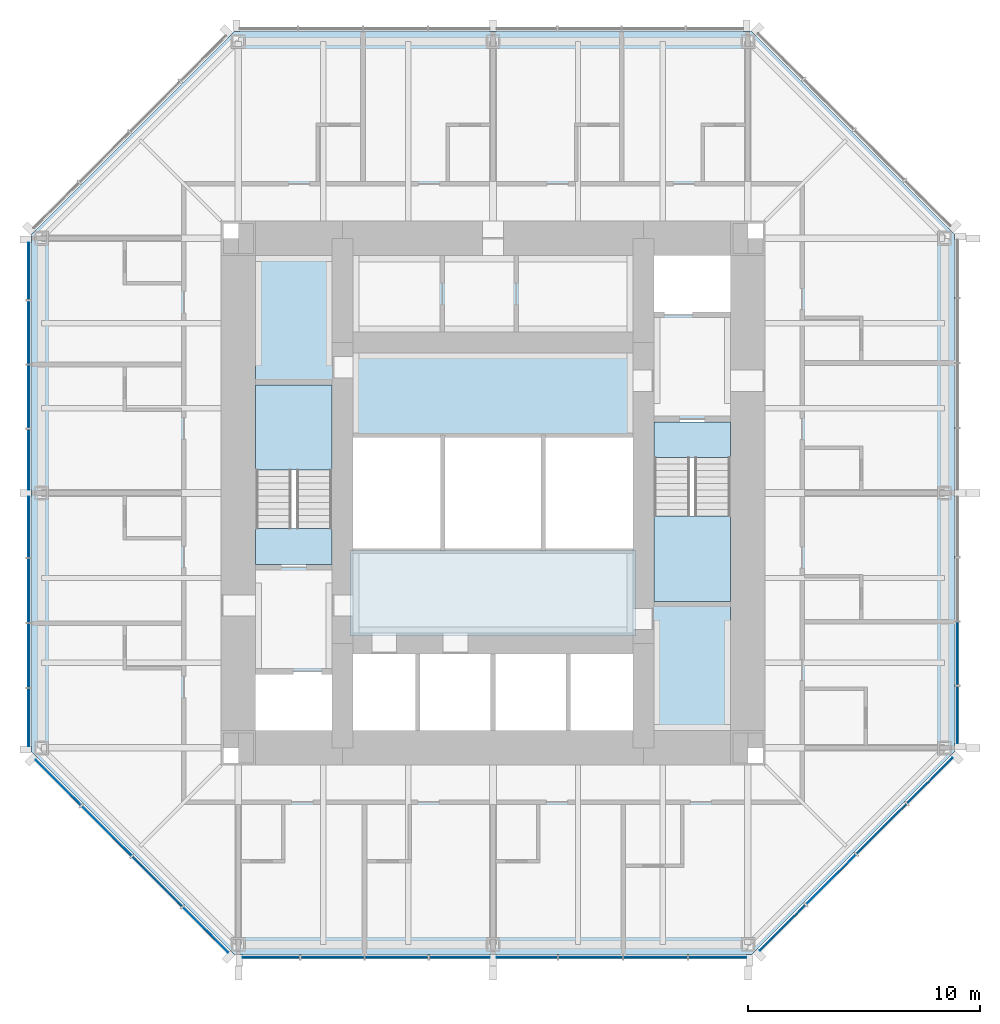
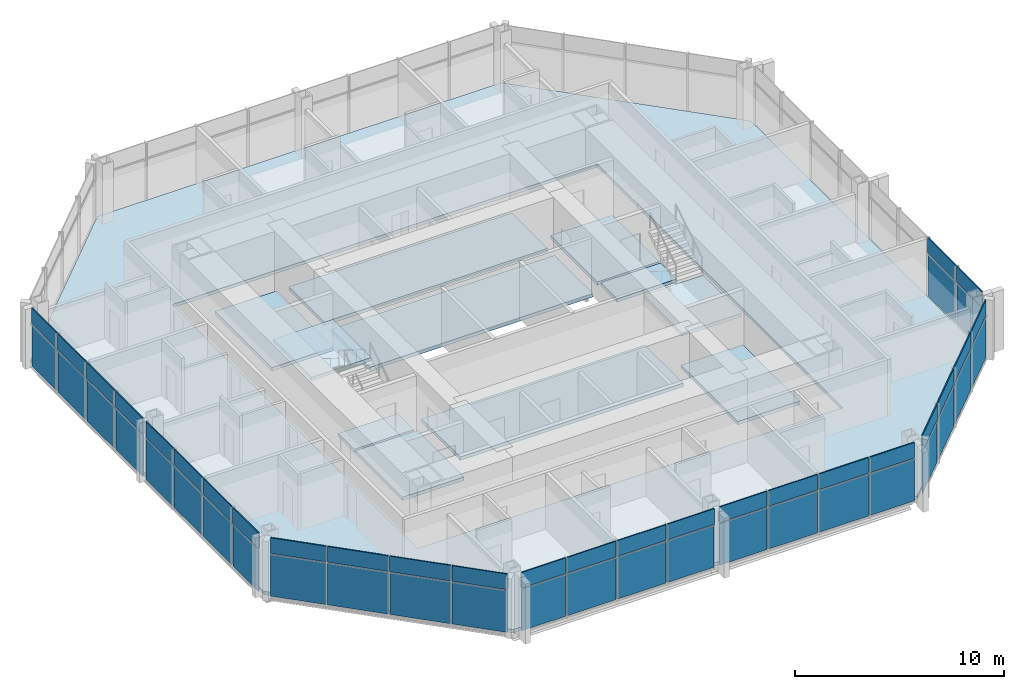
# One storey, part 6 of 12: 52 plates, 12 slabs, 7 elements without a shape of their own.
"""IFC4 building model written with IfcOpenShell, lengths in metres."""

from ifc_helpers import new_model, si_unit, direction, frame, origin, origin_2d, place, context, subcontext, project, spatial, polyline, rectangle, outline, extrude, material, layer, layer_set, type_object, element, aggregate, save


model = new_model("IFC4")

# Units and contexts
model_context = context("Model", 3, precision=1e-05, world=origin(), true_north=direction((0.0, 1.0)))
body_context = subcontext(model_context, "Body", "Model", "MODEL_VIEW")
ifc_project = project(units=[si_unit("LENGTHUNIT", "METRE"), si_unit("AREAUNIT", "SQUARE_METRE"), si_unit("VOLUMEUNIT", "CUBIC_METRE"), si_unit("PLANEANGLEUNIT", "RADIAN"), si_unit("MASSUNIT", "GRAM", prefix="KILO")], contexts=[model_context])

# Site, building, storey
site_placement = place(None, origin())
site = spatial("IfcSite", under=ifc_project, at=site_placement, CompositionType="ELEMENT")
building_placement = place(site_placement, origin())
building = spatial("IfcBuilding", under=site, at=building_placement, Name="Trevanion Tower", CompositionType="ELEMENT")
storey_placement = place(building_placement, frame((0.0, 0.0, 194.199951171875)))
storey = spatial("IfcBuildingStorey", under=building, at=storey_placement, Name="L45", CompositionType="ELEMENT", Elevation=194.199951171875)

# Curtain wall, plates
ifc_material_1 = material(Name="Aluminium and glass", Category="aluminium")
curtain_wall_type = type_object("IfcCurtainWallType", Name="CW3 curtain wall", PredefinedType="USERDEFINED", material=ifc_material_1)
curtain_wall_1_placement = place(storey_placement, origin())
curtain_wall_1 = element("IfcCurtainWall", 1, at=curtain_wall_1_placement, inside=storey, type_object=curtain_wall_type, Name="CW3 L45 0", ObjectType="UNITISED CURTAIN WALL", PredefinedType="USERDEFINED")
ifc_material_2 = material(Name="Aluminium spandrel panel", Category="aluminium")
ifc_layer_1 = layer(ifc_material_2, 0.06005859375)
ifc_layer_set_1 = layer_set([ifc_layer_1], Name="CW3 spandrel panel")
plate_type_1 = type_object("IfcPlateType", Name="CW3 spandrel panel", PredefinedType="CURTAIN_PANEL", material=ifc_layer_set_1)
plate_1_placement = place(storey_placement, frame((20.050048828125, -9.579345703125, 2.3974609375), z_axis=(0.0, 0.0, 1.0), x_axis=(0.0, 1.0, 0.0)))
plate_1 = element("IfcPlate", 2, at=plate_1_placement, type_object=plate_type_1, Name="CW3 panel 1.2", PredefinedType="CURTAIN_PANEL", context=body_context, shape_type="SweptSolid", body=[
    extrude(rectangle(XDim=2.43701171875, YDim=0.06005859375, at=origin_2d()), origin(), (0.0, 0.0, 1.0), 0.91259765625),
])
plate_2_placement = place(storey_placement, frame((20.050048828125, -6.93603515625, 2.3974609375), z_axis=(0.0, 0.0, 1.0), x_axis=(0.0, 1.0, 0.0)))
plate_2 = element("IfcPlate", 3, at=plate_2_placement, type_object=plate_type_1, Name="CW3 panel 2.2", PredefinedType="CURTAIN_PANEL", context=body_context, shape_type="SweptSolid", body=[
    extrude(rectangle(XDim=2.699462890625, YDim=0.06005859375, at=origin_2d()), origin(), (0.0, 0.0, 1.0), 0.91259765625),
])

curtain_wall_2_placement = place(storey_placement, origin())
curtain_wall_2 = element("IfcCurtainWall", 4, at=curtain_wall_2_placement, inside=storey, type_object=curtain_wall_type, Name="CW3 L45 4", ObjectType="UNITISED CURTAIN WALL", PredefinedType="USERDEFINED")
plate_3_placement = place(storey_placement, frame((-20.050048828125, 9.579345703125, 2.3974609375), z_axis=(0.0, 0.0, 1.0), x_axis=(0.0, -1.0, 0.0)))
plate_3 = element("IfcPlate", 5, at=plate_3_placement, type_object=plate_type_1, Name="CW3 panel 1.2", PredefinedType="CURTAIN_PANEL", context=body_context, shape_type="SweptSolid", body=[
    extrude(rectangle(XDim=2.43701171875, YDim=0.06005859375, at=origin_2d()), origin(), (0.0, 0.0, 1.0), 0.91259765625),
])
plate_4_placement = place(storey_placement, frame((-20.050048828125, 6.93603515625, 2.3974609375), z_axis=(0.0, 0.0, 1.0), x_axis=(0.0, -1.0, 0.0)))
plate_4 = element("IfcPlate", 6, at=plate_4_placement, type_object=plate_type_1, Name="CW3 panel 2.2", PredefinedType="CURTAIN_PANEL", context=body_context, shape_type="SweptSolid", body=[
    extrude(rectangle(XDim=2.699462890625, YDim=0.06005859375, at=origin_2d()), origin(), (0.0, 0.0, 1.0), 0.91259765625),
])
plate_5_placement = place(storey_placement, frame((-20.050048828125, 4.16162109375, 2.3974609375), z_axis=(0.0, 0.0, 1.0), x_axis=(0.0, -1.0, 0.0)))
plate_5 = element("IfcPlate", 7, at=plate_5_placement, type_object=plate_type_1, Name="CW3 panel 3.2", PredefinedType="CURTAIN_PANEL", context=body_context, shape_type="SweptSolid", body=[
    extrude(rectangle(XDim=2.699462890625, YDim=0.06005859375, at=origin_2d()), origin(), (0.0, 0.0, 1.0), 0.91259765625),
])
plate_6_placement = place(storey_placement, frame((-20.050048828125, 1.443603515625, 2.3974609375), z_axis=(0.0, 0.0, 1.0), x_axis=(0.0, -1.0, 0.0)))
plate_6 = element("IfcPlate", 8, at=plate_6_placement, type_object=plate_type_1, Name="CW3 panel 4.2", PredefinedType="CURTAIN_PANEL", context=body_context, shape_type="SweptSolid", body=[
    extrude(rectangle(XDim=2.5869140625, YDim=0.06005859375, at=origin_2d()), origin(), (0.0, 0.0, 1.0), 0.91259765625),
])
plate_7_placement = place(storey_placement, frame((-20.050048828125, -1.459716796875, 2.3974609375), z_axis=(0.0, 0.0, 1.0), x_axis=(0.0, -1.0, 0.0)))
plate_7 = element("IfcPlate", 9, at=plate_7_placement, type_object=plate_type_1, Name="CW3 panel 5.2", PredefinedType="CURTAIN_PANEL", context=body_context, shape_type="SweptSolid", body=[
    extrude(rectangle(XDim=2.619384765625, YDim=0.06005859375, at=origin_2d()), origin(), (0.0, 0.0, 1.0), 0.91259765625),
])
plate_8_placement = place(storey_placement, frame((-20.050048828125, -4.21044921875, 2.3974609375), z_axis=(0.0, 0.0, 1.0), x_axis=(0.0, -1.0, 0.0)))
plate_8 = element("IfcPlate", 10, at=plate_8_placement, type_object=plate_type_1, Name="CW3 panel 6.2", PredefinedType="CURTAIN_PANEL", context=body_context, shape_type="SweptSolid", body=[
    extrude(rectangle(XDim=2.73193359375, YDim=0.06005859375, at=origin_2d()), origin(), (0.0, 0.0, 1.0), 0.91259765625),
])
plate_9_placement = place(storey_placement, frame((-20.050048828125, -7.017333984375, 2.3974609375), z_axis=(0.0, 0.0, 1.0), x_axis=(0.0, -1.0, 0.0)))
plate_9 = element("IfcPlate", 11, at=plate_9_placement, type_object=plate_type_1, Name="CW3 panel 7.2", PredefinedType="CURTAIN_PANEL", context=body_context, shape_type="SweptSolid", body=[
    extrude(rectangle(XDim=2.73193359375, YDim=0.06005859375, at=origin_2d()), origin(), (0.0, 0.0, 1.0), 0.91259765625),
])
plate_10_placement = place(storey_placement, frame((-20.050048828125, -9.693115234375, 2.3974609375), z_axis=(0.0, 0.0, 1.0), x_axis=(0.0, -1.0, 0.0)))
plate_10 = element("IfcPlate", 12, at=plate_10_placement, type_object=plate_type_1, Name="CW3 panel 8.2", PredefinedType="CURTAIN_PANEL", context=body_context, shape_type="SweptSolid", body=[
    extrude(rectangle(XDim=2.469482421875, YDim=0.06005859375, at=origin_2d()), origin(), (0.0, 0.0, 1.0), 0.91259765625),
])

curtain_wall_3_placement = place(storey_placement, origin())
curtain_wall_3 = element("IfcCurtainWall", 13, at=curtain_wall_3_placement, inside=storey, type_object=curtain_wall_type, Name="CW3 L45 5", ObjectType="UNITISED CURTAIN WALL", PredefinedType="USERDEFINED")
plate_11_placement = place(storey_placement, frame((-18.77392578125, -12.50390625, 2.3974609375), z_axis=(0.0, 0.0, 1.0), x_axis=(0.707106781187, -0.707106781187, 0.0)))
plate_11 = element("IfcPlate", 14, at=plate_11_placement, type_object=plate_type_1, Name="CW3 panel 1.2", PredefinedType="CURTAIN_PANEL", context=body_context, shape_type="SweptSolid", body=[
    extrude(rectangle(XDim=2.7490234375, YDim=0.06005859375, at=origin_2d()), origin(), (0.0, 0.0, 1.0), 0.91259765625),
])
plate_12_placement = place(storey_placement, frame((-16.68408203125, -14.593505859375, 2.3974609375), z_axis=(0.0, 0.0, 1.0), x_axis=(0.707106781187, -0.707106781187, 0.0)))
plate_12 = element("IfcPlate", 15, at=plate_12_placement, type_object=plate_type_1, Name="CW3 panel 2.2", PredefinedType="CURTAIN_PANEL", context=body_context, shape_type="SweptSolid", body=[
    extrude(rectangle(XDim=3.01171875, YDim=0.06005859375, at=origin_2d()), origin(), (0.0, 0.0, 1.0), 0.91259765625),
])
plate_13_placement = place(storey_placement, frame((-14.501708984375, -16.776123046875, 2.3974609375), z_axis=(0.0, 0.0, 1.0), x_axis=(0.707106781187, -0.707106781187, 0.0)))
plate_13 = element("IfcPlate", 16, at=plate_13_placement, type_object=plate_type_1, Name="CW3 panel 3.2", PredefinedType="CURTAIN_PANEL", context=body_context, shape_type="SweptSolid", body=[
    extrude(rectangle(XDim=3.01171875, YDim=0.06005859375, at=origin_2d()), origin(), (0.0, 0.0, 1.0), 0.91259765625),
])
plate_14_placement = place(storey_placement, frame((-12.411865234375, -18.865966796875, 2.3974609375), z_axis=(0.0, 0.0, 1.0), x_axis=(0.707106781187, -0.707106781187, 0.0)))
plate_14 = element("IfcPlate", 17, at=plate_14_placement, type_object=plate_type_1, Name="CW3 panel 4.2", PredefinedType="CURTAIN_PANEL", context=body_context, shape_type="SweptSolid", body=[
    extrude(rectangle(XDim=2.7490234375, YDim=0.06005859375, at=origin_2d()), origin(), (0.0, 0.0, 1.0), 0.91259765625),
])

curtain_wall_4_placement = place(storey_placement, origin())
curtain_wall_4 = element("IfcCurtainWall", 18, at=curtain_wall_4_placement, inside=storey, type_object=curtain_wall_type, Name="CW3 L45 6", ObjectType="UNITISED CURTAIN WALL", PredefinedType="USERDEFINED")
plate_15_placement = place(storey_placement, frame((-9.579345703125, -20.050048828125, 2.3974609375), z_axis=(0.0, 0.0, 1.0), x_axis=(1.0, 0.0, 0.0)))
plate_15 = element("IfcPlate", 19, at=plate_15_placement, type_object=plate_type_1, Name="CW3 panel 1.2", PredefinedType="CURTAIN_PANEL", context=body_context, shape_type="SweptSolid", body=[
    extrude(rectangle(XDim=2.43701171875, YDim=0.06005859375, at=origin_2d()), origin(), (0.0, 0.0, 1.0), 0.91259765625),
])
plate_16_placement = place(storey_placement, frame((-6.93603515625, -20.050048828125, 2.3974609375), z_axis=(0.0, 0.0, 1.0), x_axis=(1.0, 0.0, 0.0)))
plate_16 = element("IfcPlate", 20, at=plate_16_placement, type_object=plate_type_1, Name="CW3 panel 2.2", PredefinedType="CURTAIN_PANEL", context=body_context, shape_type="SweptSolid", body=[
    extrude(rectangle(XDim=2.699462890625, YDim=0.06005859375, at=origin_2d()), origin(), (0.0, 0.0, 1.0), 0.91259765625),
])
plate_17_placement = place(storey_placement, frame((-4.16162109375, -20.050048828125, 2.3974609375), z_axis=(0.0, 0.0, 1.0), x_axis=(1.0, 0.0, 0.0)))
plate_17 = element("IfcPlate", 21, at=plate_17_placement, type_object=plate_type_1, Name="CW3 panel 3.2", PredefinedType="CURTAIN_PANEL", context=body_context, shape_type="SweptSolid", body=[
    extrude(rectangle(XDim=2.699462890625, YDim=0.06005859375, at=origin_2d()), origin(), (0.0, 0.0, 1.0), 0.91259765625),
])
plate_18_placement = place(storey_placement, frame((-1.443603515625, -20.050048828125, 2.3974609375), z_axis=(0.0, 0.0, 1.0), x_axis=(1.0, 0.0, 0.0)))
plate_18 = element("IfcPlate", 22, at=plate_18_placement, type_object=plate_type_1, Name="CW3 panel 4.2", PredefinedType="CURTAIN_PANEL", context=body_context, shape_type="SweptSolid", body=[
    extrude(rectangle(XDim=2.5869140625, YDim=0.06005859375, at=origin_2d()), origin(), (0.0, 0.0, 1.0), 0.91259765625),
])
plate_19_placement = place(storey_placement, frame((1.459716796875, -20.050048828125, 2.3974609375), z_axis=(0.0, 0.0, 1.0), x_axis=(1.0, 0.0, 0.0)))
plate_19 = element("IfcPlate", 23, at=plate_19_placement, type_object=plate_type_1, Name="CW3 panel 5.2", PredefinedType="CURTAIN_PANEL", context=body_context, shape_type="SweptSolid", body=[
    extrude(rectangle(XDim=2.619384765625, YDim=0.06005859375, at=origin_2d()), origin(), (0.0, 0.0, 1.0), 0.91259765625),
])
plate_20_placement = place(storey_placement, frame((4.21044921875, -20.050048828125, 2.3974609375), z_axis=(0.0, 0.0, 1.0), x_axis=(1.0, 0.0, 0.0)))
plate_20 = element("IfcPlate", 24, at=plate_20_placement, type_object=plate_type_1, Name="CW3 panel 6.2", PredefinedType="CURTAIN_PANEL", context=body_context, shape_type="SweptSolid", body=[
    extrude(rectangle(XDim=2.73193359375, YDim=0.06005859375, at=origin_2d()), origin(), (0.0, 0.0, 1.0), 0.91259765625),
])
plate_21_placement = place(storey_placement, frame((7.017333984375, -20.050048828125, 2.3974609375), z_axis=(0.0, 0.0, 1.0), x_axis=(1.0, 0.0, 0.0)))
plate_21 = element("IfcPlate", 25, at=plate_21_placement, type_object=plate_type_1, Name="CW3 panel 7.2", PredefinedType="CURTAIN_PANEL", context=body_context, shape_type="SweptSolid", body=[
    extrude(rectangle(XDim=2.73193359375, YDim=0.06005859375, at=origin_2d()), origin(), (0.0, 0.0, 1.0), 0.91259765625),
])
plate_22_placement = place(storey_placement, frame((9.693115234375, -20.050048828125, 2.3974609375), z_axis=(0.0, 0.0, 1.0), x_axis=(1.0, 0.0, 0.0)))
plate_22 = element("IfcPlate", 26, at=plate_22_placement, type_object=plate_type_1, Name="CW3 panel 8.2", PredefinedType="CURTAIN_PANEL", context=body_context, shape_type="SweptSolid", body=[
    extrude(rectangle(XDim=2.469482421875, YDim=0.06005859375, at=origin_2d()), origin(), (0.0, 0.0, 1.0), 0.91259765625),
])

curtain_wall_5_placement = place(storey_placement, origin())
curtain_wall_5 = element("IfcCurtainWall", 27, at=curtain_wall_5_placement, inside=storey, type_object=curtain_wall_type, Name="CW3 L45 7", ObjectType="UNITISED CURTAIN WALL", PredefinedType="USERDEFINED")
plate_23_placement = place(storey_placement, frame((12.50390625, -18.77392578125, 2.3974609375), z_axis=(0.0, 0.0, 1.0), x_axis=(0.707106781187, 0.707106781187, 0.0)))
plate_23 = element("IfcPlate", 28, at=plate_23_placement, type_object=plate_type_1, Name="CW3 panel 1.2", PredefinedType="CURTAIN_PANEL", context=body_context, shape_type="SweptSolid", body=[
    extrude(rectangle(XDim=2.7490234375, YDim=0.06005859375, at=origin_2d()), origin(), (0.0, 0.0, 1.0), 0.91259765625),
])
plate_24_placement = place(storey_placement, frame((14.593505859375, -16.68408203125, 2.3974609375), z_axis=(0.0, 0.0, 1.0), x_axis=(0.707106781187, 0.707106781187, 0.0)))
plate_24 = element("IfcPlate", 29, at=plate_24_placement, type_object=plate_type_1, Name="CW3 panel 2.2", PredefinedType="CURTAIN_PANEL", context=body_context, shape_type="SweptSolid", body=[
    extrude(rectangle(XDim=3.01171875, YDim=0.06005859375, at=origin_2d()), origin(), (0.0, 0.0, 1.0), 0.91259765625),
])
plate_25_placement = place(storey_placement, frame((16.776123046875, -14.501708984375, 2.3974609375), z_axis=(0.0, 0.0, 1.0), x_axis=(0.707106781187, 0.707106781187, 0.0)))
plate_25 = element("IfcPlate", 30, at=plate_25_placement, type_object=plate_type_1, Name="CW3 panel 3.2", PredefinedType="CURTAIN_PANEL", context=body_context, shape_type="SweptSolid", body=[
    extrude(rectangle(XDim=3.01171875, YDim=0.06005859375, at=origin_2d()), origin(), (0.0, 0.0, 1.0), 0.91259765625),
])
plate_26_placement = place(storey_placement, frame((18.865966796875, -12.411865234375, 2.3974609375), z_axis=(0.0, 0.0, 1.0), x_axis=(0.707106781187, 0.707106781187, 0.0)))
plate_26 = element("IfcPlate", 31, at=plate_26_placement, type_object=plate_type_1, Name="CW3 panel 4.2", PredefinedType="CURTAIN_PANEL", context=body_context, shape_type="SweptSolid", body=[
    extrude(rectangle(XDim=2.7490234375, YDim=0.06005859375, at=origin_2d()), origin(), (0.0, 0.0, 1.0), 0.91259765625),
])

# Plate
ifc_material_3 = material(Name="Insulating glass unit", Category="glass")
ifc_layer_2 = layer(ifc_material_3, 0.028076171875)
ifc_layer_set_2 = layer_set([ifc_layer_2], Name="CW3 vision panel")
plate_type_2 = type_object("IfcPlateType", Name="CW3 vision panel", PredefinedType="CURTAIN_PANEL", material=ifc_layer_set_2)
plate_27_placement = place(storey_placement, frame((20.050048828125, -9.579345703125, -0.114990234375), z_axis=(0.0, 0.0, 1.0), x_axis=(0.0, 1.0, 0.0)))
plate_27 = element("IfcPlate", 32, at=plate_27_placement, type_object=plate_type_2, Name="CW3 panel 1.1", PredefinedType="CURTAIN_PANEL", context=body_context, shape_type="SweptSolid", body=[
    extrude(rectangle(XDim=2.43701171875, YDim=0.028076171875, at=origin_2d()), origin(), (0.0, 0.0, 1.0), 2.4375),
])

plate_28_placement = place(storey_placement, frame((20.050048828125, -6.93603515625, -0.114990234375), z_axis=(0.0, 0.0, 1.0), x_axis=(0.0, 1.0, 0.0)))
plate_28 = element("IfcPlate", 33, at=plate_28_placement, type_object=plate_type_2, Name="CW3 panel 2.1", PredefinedType="CURTAIN_PANEL", context=body_context, shape_type="SweptSolid", body=[
    extrude(rectangle(XDim=2.699462890625, YDim=0.028076171875, at=origin_2d()), origin(), (0.0, 0.0, 1.0), 2.4375),
])

aggregate(curtain_wall_1, [plate_27, plate_1, plate_28, plate_2])

plate_29_placement = place(storey_placement, frame((-20.050048828125, 9.579345703125, -0.114990234375), z_axis=(0.0, 0.0, 1.0), x_axis=(0.0, -1.0, 0.0)))
plate_29 = element("IfcPlate", 34, at=plate_29_placement, type_object=plate_type_2, Name="CW3 panel 1.1", PredefinedType="CURTAIN_PANEL", context=body_context, shape_type="SweptSolid", body=[
    extrude(rectangle(XDim=2.43701171875, YDim=0.028076171875, at=origin_2d()), origin(), (0.0, 0.0, 1.0), 2.4375),
])

plate_30_placement = place(storey_placement, frame((-20.050048828125, 6.93603515625, -0.114990234375), z_axis=(0.0, 0.0, 1.0), x_axis=(0.0, -1.0, 0.0)))
plate_30 = element("IfcPlate", 35, at=plate_30_placement, type_object=plate_type_2, Name="CW3 panel 2.1", PredefinedType="CURTAIN_PANEL", context=body_context, shape_type="SweptSolid", body=[
    extrude(rectangle(XDim=2.699462890625, YDim=0.028076171875, at=origin_2d()), origin(), (0.0, 0.0, 1.0), 2.4375),
])

plate_31_placement = place(storey_placement, frame((-20.050048828125, 4.16162109375, -0.114990234375), z_axis=(0.0, 0.0, 1.0), x_axis=(0.0, -1.0, 0.0)))
plate_31 = element("IfcPlate", 36, at=plate_31_placement, type_object=plate_type_2, Name="CW3 panel 3.1", PredefinedType="CURTAIN_PANEL", context=body_context, shape_type="SweptSolid", body=[
    extrude(rectangle(XDim=2.699462890625, YDim=0.028076171875, at=origin_2d()), origin(), (0.0, 0.0, 1.0), 2.4375),
])

plate_32_placement = place(storey_placement, frame((-20.050048828125, 1.443603515625, -0.114990234375), z_axis=(0.0, 0.0, 1.0), x_axis=(0.0, -1.0, 0.0)))
plate_32 = element("IfcPlate", 37, at=plate_32_placement, type_object=plate_type_2, Name="CW3 panel 4.1", PredefinedType="CURTAIN_PANEL", context=body_context, shape_type="SweptSolid", body=[
    extrude(rectangle(XDim=2.5869140625, YDim=0.028076171875, at=origin_2d()), origin(), (0.0, 0.0, 1.0), 2.4375),
])

plate_33_placement = place(storey_placement, frame((-20.050048828125, -1.459716796875, -0.114990234375), z_axis=(0.0, 0.0, 1.0), x_axis=(0.0, -1.0, 0.0)))
plate_33 = element("IfcPlate", 38, at=plate_33_placement, type_object=plate_type_2, Name="CW3 panel 5.1", PredefinedType="CURTAIN_PANEL", context=body_context, shape_type="SweptSolid", body=[
    extrude(rectangle(XDim=2.619384765625, YDim=0.028076171875, at=origin_2d()), origin(), (0.0, 0.0, 1.0), 2.4375),
])

plate_34_placement = place(storey_placement, frame((-20.050048828125, -4.21044921875, -0.114990234375), z_axis=(0.0, 0.0, 1.0), x_axis=(0.0, -1.0, 0.0)))
plate_34 = element("IfcPlate", 39, at=plate_34_placement, type_object=plate_type_2, Name="CW3 panel 6.1", PredefinedType="CURTAIN_PANEL", context=body_context, shape_type="SweptSolid", body=[
    extrude(rectangle(XDim=2.73193359375, YDim=0.028076171875, at=origin_2d()), origin(), (0.0, 0.0, 1.0), 2.4375),
])

plate_35_placement = place(storey_placement, frame((-20.050048828125, -7.017333984375, -0.114990234375), z_axis=(0.0, 0.0, 1.0), x_axis=(0.0, -1.0, 0.0)))
plate_35 = element("IfcPlate", 40, at=plate_35_placement, type_object=plate_type_2, Name="CW3 panel 7.1", PredefinedType="CURTAIN_PANEL", context=body_context, shape_type="SweptSolid", body=[
    extrude(rectangle(XDim=2.73193359375, YDim=0.028076171875, at=origin_2d()), origin(), (0.0, 0.0, 1.0), 2.4375),
])

plate_36_placement = place(storey_placement, frame((-20.050048828125, -9.693115234375, -0.114990234375), z_axis=(0.0, 0.0, 1.0), x_axis=(0.0, -1.0, 0.0)))
plate_36 = element("IfcPlate", 41, at=plate_36_placement, type_object=plate_type_2, Name="CW3 panel 8.1", PredefinedType="CURTAIN_PANEL", context=body_context, shape_type="SweptSolid", body=[
    extrude(rectangle(XDim=2.469482421875, YDim=0.028076171875, at=origin_2d()), origin(), (0.0, 0.0, 1.0), 2.4375),
])

aggregate(curtain_wall_2, [plate_29, plate_3, plate_30, plate_4, plate_31, plate_5, plate_32, plate_6, plate_33, plate_7, plate_34, plate_8, plate_35, plate_9, plate_36, plate_10])

plate_37_placement = place(storey_placement, frame((-18.77392578125, -12.50390625, -0.114990234375), z_axis=(0.0, 0.0, 1.0), x_axis=(0.707106781187, -0.707106781187, 0.0)))
plate_37 = element("IfcPlate", 42, at=plate_37_placement, type_object=plate_type_2, Name="CW3 panel 1.1", PredefinedType="CURTAIN_PANEL", context=body_context, shape_type="SweptSolid", body=[
    extrude(rectangle(XDim=2.7490234375, YDim=0.028076171875, at=origin_2d()), origin(), (0.0, 0.0, 1.0), 2.4375),
])

plate_38_placement = place(storey_placement, frame((-16.68408203125, -14.593505859375, -0.114990234375), z_axis=(0.0, 0.0, 1.0), x_axis=(0.707106781187, -0.707106781187, 0.0)))
plate_38 = element("IfcPlate", 43, at=plate_38_placement, type_object=plate_type_2, Name="CW3 panel 2.1", PredefinedType="CURTAIN_PANEL", context=body_context, shape_type="SweptSolid", body=[
    extrude(rectangle(XDim=3.01171875, YDim=0.028076171875, at=origin_2d()), origin(), (0.0, 0.0, 1.0), 2.4375),
])

plate_39_placement = place(storey_placement, frame((-14.501708984375, -16.776123046875, -0.114990234375), z_axis=(0.0, 0.0, 1.0), x_axis=(0.707106781187, -0.707106781187, 0.0)))
plate_39 = element("IfcPlate", 44, at=plate_39_placement, type_object=plate_type_2, Name="CW3 panel 3.1", PredefinedType="CURTAIN_PANEL", context=body_context, shape_type="SweptSolid", body=[
    extrude(rectangle(XDim=3.01171875, YDim=0.028076171875, at=origin_2d()), origin(), (0.0, 0.0, 1.0), 2.4375),
])

plate_40_placement = place(storey_placement, frame((-12.411865234375, -18.865966796875, -0.114990234375), z_axis=(0.0, 0.0, 1.0), x_axis=(0.707106781187, -0.707106781187, 0.0)))
plate_40 = element("IfcPlate", 45, at=plate_40_placement, type_object=plate_type_2, Name="CW3 panel 4.1", PredefinedType="CURTAIN_PANEL", context=body_context, shape_type="SweptSolid", body=[
    extrude(rectangle(XDim=2.7490234375, YDim=0.028076171875, at=origin_2d()), origin(), (0.0, 0.0, 1.0), 2.4375),
])

aggregate(curtain_wall_3, [plate_37, plate_11, plate_38, plate_12, plate_39, plate_13, plate_40, plate_14])

plate_41_placement = place(storey_placement, frame((-9.579345703125, -20.050048828125, -0.114990234375), z_axis=(0.0, 0.0, 1.0), x_axis=(1.0, 0.0, 0.0)))
plate_41 = element("IfcPlate", 46, at=plate_41_placement, type_object=plate_type_2, Name="CW3 panel 1.1", PredefinedType="CURTAIN_PANEL", context=body_context, shape_type="SweptSolid", body=[
    extrude(rectangle(XDim=2.43701171875, YDim=0.028076171875, at=origin_2d()), origin(), (0.0, 0.0, 1.0), 2.4375),
])

plate_42_placement = place(storey_placement, frame((-6.93603515625, -20.050048828125, -0.114990234375), z_axis=(0.0, 0.0, 1.0), x_axis=(1.0, 0.0, 0.0)))
plate_42 = element("IfcPlate", 47, at=plate_42_placement, type_object=plate_type_2, Name="CW3 panel 2.1", PredefinedType="CURTAIN_PANEL", context=body_context, shape_type="SweptSolid", body=[
    extrude(rectangle(XDim=2.699462890625, YDim=0.028076171875, at=origin_2d()), origin(), (0.0, 0.0, 1.0), 2.4375),
])

plate_43_placement = place(storey_placement, frame((-4.16162109375, -20.050048828125, -0.114990234375), z_axis=(0.0, 0.0, 1.0), x_axis=(1.0, 0.0, 0.0)))
plate_43 = element("IfcPlate", 48, at=plate_43_placement, type_object=plate_type_2, Name="CW3 panel 3.1", PredefinedType="CURTAIN_PANEL", context=body_context, shape_type="SweptSolid", body=[
    extrude(rectangle(XDim=2.699462890625, YDim=0.028076171875, at=origin_2d()), origin(), (0.0, 0.0, 1.0), 2.4375),
])

plate_44_placement = place(storey_placement, frame((-1.443603515625, -20.050048828125, -0.114990234375), z_axis=(0.0, 0.0, 1.0), x_axis=(1.0, 0.0, 0.0)))
plate_44 = element("IfcPlate", 49, at=plate_44_placement, type_object=plate_type_2, Name="CW3 panel 4.1", PredefinedType="CURTAIN_PANEL", context=body_context, shape_type="SweptSolid", body=[
    extrude(rectangle(XDim=2.5869140625, YDim=0.028076171875, at=origin_2d()), origin(), (0.0, 0.0, 1.0), 2.4375),
])

plate_45_placement = place(storey_placement, frame((1.459716796875, -20.050048828125, -0.114990234375), z_axis=(0.0, 0.0, 1.0), x_axis=(1.0, 0.0, 0.0)))
plate_45 = element("IfcPlate", 50, at=plate_45_placement, type_object=plate_type_2, Name="CW3 panel 5.1", PredefinedType="CURTAIN_PANEL", context=body_context, shape_type="SweptSolid", body=[
    extrude(rectangle(XDim=2.619384765625, YDim=0.028076171875, at=origin_2d()), origin(), (0.0, 0.0, 1.0), 2.4375),
])

plate_46_placement = place(storey_placement, frame((4.21044921875, -20.050048828125, -0.114990234375), z_axis=(0.0, 0.0, 1.0), x_axis=(1.0, 0.0, 0.0)))
plate_46 = element("IfcPlate", 51, at=plate_46_placement, type_object=plate_type_2, Name="CW3 panel 6.1", PredefinedType="CURTAIN_PANEL", context=body_context, shape_type="SweptSolid", body=[
    extrude(rectangle(XDim=2.73193359375, YDim=0.028076171875, at=origin_2d()), origin(), (0.0, 0.0, 1.0), 2.4375),
])

plate_47_placement = place(storey_placement, frame((7.017333984375, -20.050048828125, -0.114990234375), z_axis=(0.0, 0.0, 1.0), x_axis=(1.0, 0.0, 0.0)))
plate_47 = element("IfcPlate", 52, at=plate_47_placement, type_object=plate_type_2, Name="CW3 panel 7.1", PredefinedType="CURTAIN_PANEL", context=body_context, shape_type="SweptSolid", body=[
    extrude(rectangle(XDim=2.73193359375, YDim=0.028076171875, at=origin_2d()), origin(), (0.0, 0.0, 1.0), 2.4375),
])

plate_48_placement = place(storey_placement, frame((9.693115234375, -20.050048828125, -0.114990234375), z_axis=(0.0, 0.0, 1.0), x_axis=(1.0, 0.0, 0.0)))
plate_48 = element("IfcPlate", 53, at=plate_48_placement, type_object=plate_type_2, Name="CW3 panel 8.1", PredefinedType="CURTAIN_PANEL", context=body_context, shape_type="SweptSolid", body=[
    extrude(rectangle(XDim=2.469482421875, YDim=0.028076171875, at=origin_2d()), origin(), (0.0, 0.0, 1.0), 2.4375),
])

aggregate(curtain_wall_4, [plate_41, plate_15, plate_42, plate_16, plate_43, plate_17, plate_44, plate_18, plate_45, plate_19, plate_46, plate_20, plate_47, plate_21, plate_48, plate_22])

plate_49_placement = place(storey_placement, frame((12.50390625, -18.77392578125, -0.114990234375), z_axis=(0.0, 0.0, 1.0), x_axis=(0.707106781187, 0.707106781187, 0.0)))
plate_49 = element("IfcPlate", 54, at=plate_49_placement, type_object=plate_type_2, Name="CW3 panel 1.1", PredefinedType="CURTAIN_PANEL", context=body_context, shape_type="SweptSolid", body=[
    extrude(rectangle(XDim=2.7490234375, YDim=0.028076171875, at=origin_2d()), origin(), (0.0, 0.0, 1.0), 2.4375),
])

plate_50_placement = place(storey_placement, frame((14.593505859375, -16.68408203125, -0.114990234375), z_axis=(0.0, 0.0, 1.0), x_axis=(0.707106781187, 0.707106781187, 0.0)))
plate_50 = element("IfcPlate", 55, at=plate_50_placement, type_object=plate_type_2, Name="CW3 panel 2.1", PredefinedType="CURTAIN_PANEL", context=body_context, shape_type="SweptSolid", body=[
    extrude(rectangle(XDim=3.01171875, YDim=0.028076171875, at=origin_2d()), origin(), (0.0, 0.0, 1.0), 2.4375),
])

plate_51_placement = place(storey_placement, frame((16.776123046875, -14.501708984375, -0.114990234375), z_axis=(0.0, 0.0, 1.0), x_axis=(0.707106781187, 0.707106781187, 0.0)))
plate_51 = element("IfcPlate", 56, at=plate_51_placement, type_object=plate_type_2, Name="CW3 panel 3.1", PredefinedType="CURTAIN_PANEL", context=body_context, shape_type="SweptSolid", body=[
    extrude(rectangle(XDim=3.01171875, YDim=0.028076171875, at=origin_2d()), origin(), (0.0, 0.0, 1.0), 2.4375),
])

plate_52_placement = place(storey_placement, frame((18.865966796875, -12.411865234375, -0.114990234375), z_axis=(0.0, 0.0, 1.0), x_axis=(0.707106781187, 0.707106781187, 0.0)))
plate_52 = element("IfcPlate", 57, at=plate_52_placement, type_object=plate_type_2, Name="CW3 panel 4.1", PredefinedType="CURTAIN_PANEL", context=body_context, shape_type="SweptSolid", body=[
    extrude(rectangle(XDim=2.7490234375, YDim=0.028076171875, at=origin_2d()), origin(), (0.0, 0.0, 1.0), 2.4375),
])

aggregate(curtain_wall_5, [plate_49, plate_23, plate_50, plate_24, plate_51, plate_25, plate_52, plate_26])

# Slabs
ifc_material_4 = material(Name="Concrete 5,000 psi on composite metal deck", Category="concrete")
ifc_layer_3 = layer(ifc_material_4, 0.18994140625)
ifc_layer_set_3 = layer_set([ifc_layer_3], Name="SL1 composite floor 190")
slab_type_1 = type_object("IfcSlabType", Name="SL1 composite floor 190", PredefinedType="FLOOR", material=ifc_layer_set_3)
slab_1_placement = place(storey_placement, frame((0.0, 0.0, -0.18994140625)))
element("IfcSlab", 58, at=slab_1_placement, inside=storey, type_object=slab_type_1, Name="SL1 L45 floor", PredefinedType="FLOOR", context=body_context, shape_type="SweptSolid", body=[
    extrude(outline(polyline([(19.919921875, -11.174072265625), (19.919921875, 11.174072265625), (11.174072265625, 19.919921875), (-11.174072265625, 19.919921875), (-19.919921875, 11.174072265625), (-19.919921875, -11.174072265625), (-11.174072265625, -19.919921875), (11.174072265625, -19.919921875), (19.919921875, -11.174072265625)]), holes=[polyline([(11.75, -11.75), (11.75, 11.75), (-11.75, 11.75), (-11.75, -11.75), (11.75, -11.75)])]), origin(), (0.0, 0.0, 1.0), 0.18994140625),
])
ifc_material_5 = material(Name="Concrete 5,000 psi", Category="concrete")
ifc_layer_4 = layer(ifc_material_5, 0.199951171875)
ifc_layer_set_4 = layer_set([ifc_layer_4], Name="SL2 core floor 200")
slab_type_2 = type_object("IfcSlabType", Name="SL2 core floor 200", PredefinedType="FLOOR", material=ifc_layer_set_4)
slab_2_placement = place(storey_placement, frame((0.0, 0.0, -0.199951171875)))
element("IfcSlab", 59, at=slab_2_placement, inside=storey, type_object=slab_type_2, Name="SL2 L45 core floor 1", PredefinedType="FLOOR", context=body_context, shape_type="SweptSolid", body=[
    extrude(outline(polyline([(10.25, -4.804931640625), (10.25, -10.25), (6.830078125, -10.25), (6.830078125, -4.804931640625), (10.25, -4.804931640625)])), origin(), (0.0, 0.0, 1.0), 0.199951171875),
])
slab_3_placement = place(storey_placement, frame((0.0, 0.0, -0.199951171875)))
element("IfcSlab", 60, at=slab_3_placement, inside=storey, type_object=slab_type_2, Name="SL2 L45 core floor 2", PredefinedType="FLOOR", context=body_context, shape_type="SweptSolid", body=[
    extrude(outline(polyline([(-6.830078125, -3.205078125), (-6.830078125, -7.695068359375), (-10.25, -7.695068359375), (-10.25, -3.205078125), (-6.830078125, -3.205078125)])), origin(), (0.0, 0.0, 1.0), 0.199951171875),
])
slab_4_placement = place(storey_placement, frame((0.0, 0.0, -0.199951171875)))
element("IfcSlab", 61, at=slab_4_placement, inside=storey, type_object=slab_type_2, Name="SL2 L45 core floor 3", PredefinedType="FLOOR", context=body_context, shape_type="SweptSolid", body=[
    extrude(outline(polyline([(6.169921875, -6.169921875), (-6.169921875, -6.169921875), (-6.169921875, -2.47998046875), (6.169921875, -2.47998046875), (6.169921875, -6.169921875)])), origin(), (0.0, 0.0, 1.0), 0.199951171875),
])
slab_5_placement = place(storey_placement, frame((0.0, 0.0, -0.199951171875)))
element("IfcSlab", 62, at=slab_5_placement, inside=storey, type_object=slab_type_2, Name="SL2 L45 core floor 4", PredefinedType="FLOOR", context=body_context, shape_type="SweptSolid", body=[
    extrude(outline(polyline([(6.169921875, 2.47998046875), (-6.169921875, 2.47998046875), (-6.169921875, 6.169921875), (6.169921875, 6.169921875), (6.169921875, 2.47998046875)])), origin(), (0.0, 0.0, 1.0), 0.199951171875),
])
slab_6_placement = place(storey_placement, frame((0.0, 0.0, -0.199951171875)))
element("IfcSlab", 63, at=slab_6_placement, inside=storey, type_object=slab_type_2, Name="SL2 L45 core floor 5", PredefinedType="FLOOR", context=body_context, shape_type="SweptSolid", body=[
    extrude(outline(polyline([(6.830078125, 3.205078125), (6.830078125, 7.695068359375), (10.25, 7.695068359375), (10.25, 3.205078125), (6.830078125, 3.205078125)])), origin(), (0.0, 0.0, 1.0), 0.199951171875),
])
slab_7_placement = place(storey_placement, frame((0.0, 0.0, -0.199951171875)))
element("IfcSlab", 64, at=slab_7_placement, inside=storey, type_object=slab_type_2, Name="SL2 L45 core floor 6", PredefinedType="FLOOR", context=body_context, shape_type="SweptSolid", body=[
    extrude(outline(polyline([(-6.830078125, 4.804931640625), (-10.25, 4.804931640625), (-10.25, 10.25), (-6.830078125, 10.25), (-6.830078125, 4.804931640625)])), origin(), (0.0, 0.0, 1.0), 0.199951171875),
])
slab_8_placement = place(storey_placement, frame((0.0, 0.0, -0.199951171875)))
element("IfcSlab", 65, at=slab_8_placement, inside=storey, type_object=slab_type_2, Name="SL2 L45 core floor 7", PredefinedType="FLOOR", context=body_context, shape_type="SweptSolid", body=[
    extrude(outline(polyline([(6.169921875, 6.830078125), (-6.169921875, 6.830078125), (-6.169921875, 10.25), (6.169921875, 10.25), (6.169921875, 6.830078125)])), origin(), (0.0, 0.0, 1.0), 0.199951171875),
])

# Stair, slabs
ifc_material_6 = material(Name="Concrete 5,000 psi on steel stringers", Category="concrete")
stair_type = type_object("IfcStairType", Name="ST stair", PredefinedType="HALF_TURN_STAIR", material=ifc_material_6)
stair_1_placement = place(storey_placement, origin())
stair_1 = element("IfcStair", 66, at=stair_1_placement, inside=storey, type_object=stair_type, Name="ST1 L45", PredefinedType="HALF_TURN_STAIR")
ifc_material_7 = material(Name="Concrete 5,000 psi in steel pan", Category="concrete")
ifc_layer_5 = layer(ifc_material_7, 0.199951171875)
ifc_layer_set_5 = layer_set([ifc_layer_5], Name="STL stair landing 200")
slab_type_3 = type_object("IfcSlabType", Name="STL stair landing 200", PredefinedType="LANDING", material=ifc_layer_set_5)
slab_9_placement = place(storey_placement, frame((0.0, 0.0, -0.199951171875)))
slab_9 = element("IfcSlab", 67, at=slab_9_placement, type_object=slab_type_3, Name="ST1 landing 1", PredefinedType="LANDING", context=body_context, shape_type="SweptSolid", body=[
    extrude(outline(polyline([(6.949951171875, 1.52490234375), (10.25, 1.52490234375), (10.25, 3.074951171875), (6.949951171875, 3.074951171875), (6.949951171875, 1.52490234375)])), origin(), (0.0, 0.0, 1.0), 0.199951171875),
])
slab_10_placement = place(storey_placement, frame((0.0, 0.0, 1.550048828125)))
slab_10 = element("IfcSlab", 68, at=slab_10_placement, type_object=slab_type_3, Name="ST1 landing 2", PredefinedType="LANDING", context=body_context, shape_type="SweptSolid", body=[
    extrude(outline(polyline([(6.949951171875, -4.675048828125), (10.25, -4.675048828125), (10.25, -0.9951171875), (6.949951171875, -0.9951171875), (6.949951171875, -4.675048828125)])), origin(), (0.0, 0.0, 1.0), 0.199951171875),
])
aggregate(stair_1, [slab_9, slab_10])

stair_2_placement = place(storey_placement, origin())
stair_2 = element("IfcStair", 69, at=stair_2_placement, inside=storey, type_object=stair_type, Name="ST2 L45", PredefinedType="HALF_TURN_STAIR")
slab_11_placement = place(storey_placement, frame((0.0, 0.0, -0.199951171875)))
slab_11 = element("IfcSlab", 70, at=slab_11_placement, type_object=slab_type_3, Name="ST2 landing 1", PredefinedType="LANDING", context=body_context, shape_type="SweptSolid", body=[
    extrude(outline(polyline([(-6.949951171875, -1.52490234375), (-10.25, -1.52490234375), (-10.25, -3.074951171875), (-6.949951171875, -3.074951171875), (-6.949951171875, -1.52490234375)])), origin(), (0.0, 0.0, 1.0), 0.199951171875),
])
slab_12_placement = place(storey_placement, frame((0.0, 0.0, 1.550048828125)))
slab_12 = element("IfcSlab", 71, at=slab_12_placement, type_object=slab_type_3, Name="ST2 landing 2", PredefinedType="LANDING", context=body_context, shape_type="SweptSolid", body=[
    extrude(outline(polyline([(-6.949951171875, 4.675048828125), (-10.25, 4.675048828125), (-10.25, 0.9951171875), (-6.949951171875, 0.9951171875), (-6.949951171875, 4.675048828125)])), origin(), (0.0, 0.0, 1.0), 0.199951171875),
])
aggregate(stair_2, [slab_11, slab_12])

save(model, "model.ifc")
